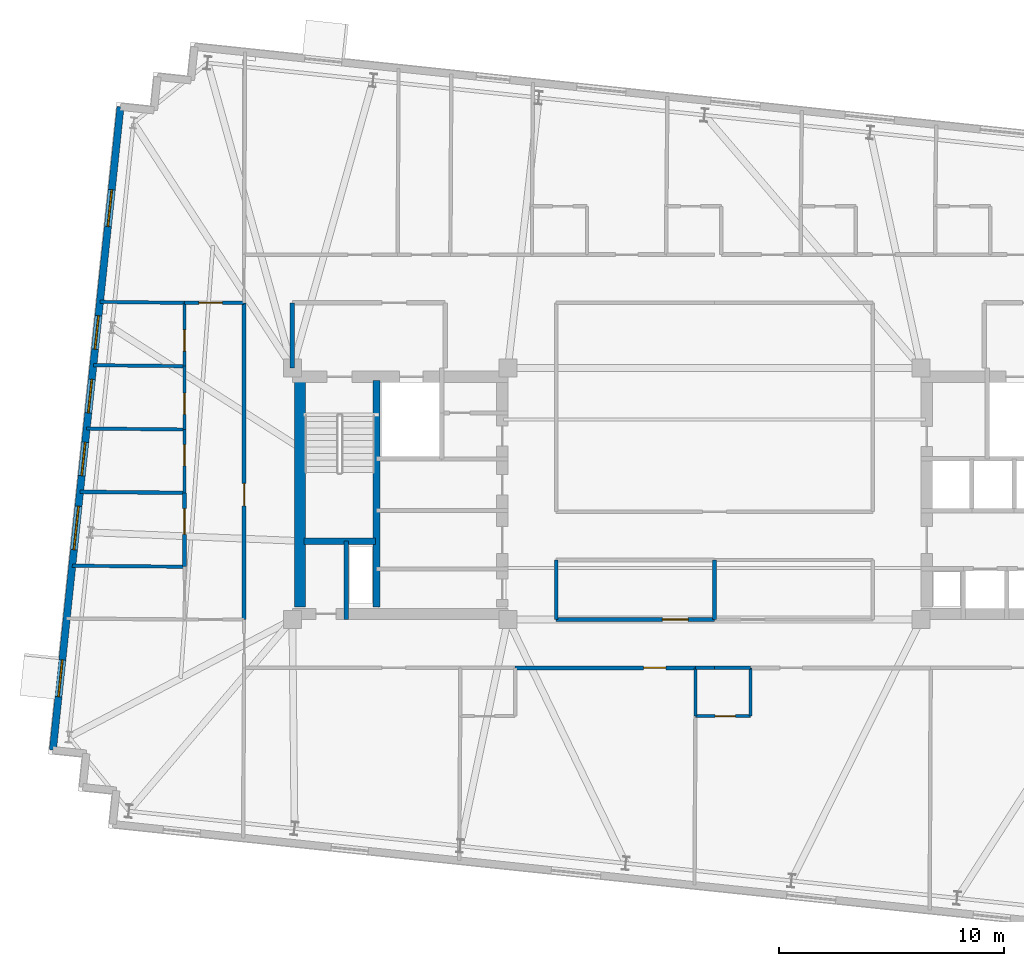
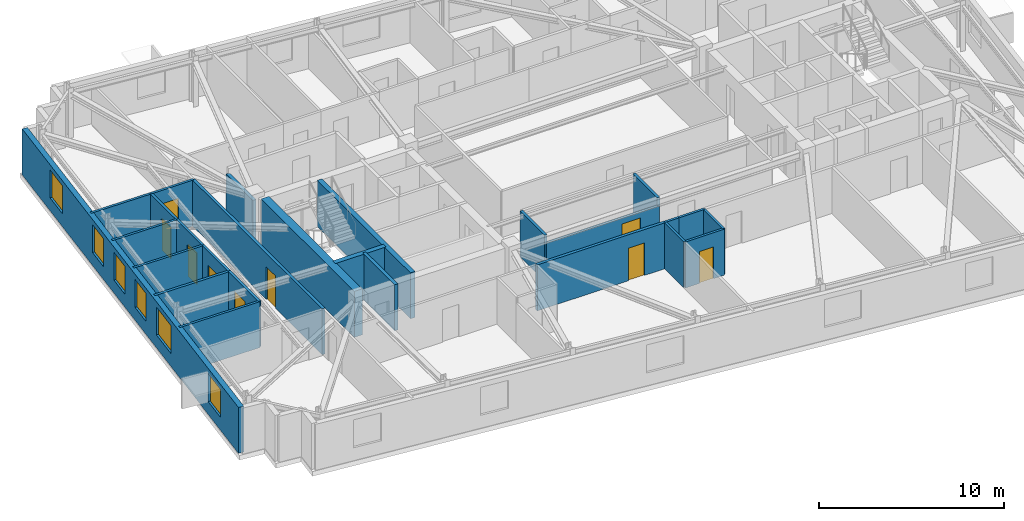
# One storey, part 6 of 13: 26 walls, 9 doors, 6 windows, 15 openings.
"""IFC4 building model written with IfcOpenShell, lengths in metres."""

from ifc_helpers import new_model, si_unit, direction, frame, frame_2d, origin, place, context, subcontext, project, spatial, rectangle, extrude, material, layer, layer_set, type_object, element, fill, save


model = new_model("IFC4")

# Units and contexts
model_context = context("Model", 3, precision=1e-05, world=origin(), true_north=direction((0.0, 1.0)))
body_context = subcontext(model_context, "Body", "Model", "MODEL_VIEW")
ifc_project = project(units=[si_unit("LENGTHUNIT", "METRE"), si_unit("AREAUNIT", "SQUARE_METRE"), si_unit("VOLUMEUNIT", "CUBIC_METRE"), si_unit("PLANEANGLEUNIT", "RADIAN"), si_unit("MASSUNIT", "GRAM", prefix="KILO")], contexts=[model_context])

# Site, building, storey
site_placement = place(None, origin())
site = spatial("IfcSite", under=ifc_project, at=site_placement, CompositionType="ELEMENT")
building_placement = place(site_placement, origin())
building = spatial("IfcBuilding", under=site, at=building_placement, Name="Qobustan Lattice House", CompositionType="ELEMENT")
storey_placement = place(building_placement, frame((0.0, 0.0, 186.35009765625)))
storey = spatial("IfcBuildingStorey", under=building, at=storey_placement, Name="L52", CompositionType="ELEMENT", Elevation=186.35009765625)

# Walls
ifc_material_1 = material(Name="Concrete C50/60", Category="concrete")
ifc_layer_1 = layer(ifc_material_1, 0.5)
ifc_layer_set_1 = layer_set([ifc_layer_1], Name="Concrete C50/60")
wall_type_1 = type_object("IfcWallType", Name="WAL-CORE-500", PredefinedType="SHEAR", material=ifc_layer_set_1)
wall_1_placement = place(storey_placement, frame((-18.4599609375, -5.050048828125, 0.0), z_axis=(0.0, 0.0, 1.0), x_axis=(0.0, 1.0, 0.0)))
element("IfcWall", 1, at=wall_1_placement, inside=storey, type_object=wall_type_1, Name="L52 split-core shear wall CW-W", PredefinedType="SHEAR", context=body_context, shape_type="SweptSolid", body=[
    extrude(rectangle(XDim=10.10009765625, YDim=0.5, at=frame_2d((5.050048828125, 0.0))), origin(), (0.0, 0.0, 1.0), 3.039794921875),
])
ifc_material_2 = material(Name="Concrete C50/60", Category="concrete")
ifc_layer_2 = layer(ifc_material_2, 0.280029296875)
ifc_layer_set_2 = layer_set([ifc_layer_2], Name="Concrete C50/60")
wall_type_2 = type_object("IfcWallType", Name="WAL-CORE-SPINE-280", PredefinedType="SHEAR", material=ifc_layer_set_2)
wall_2_placement = place(storey_placement, frame((-15.050048828125, -5.050048828125, 0.0), z_axis=(0.0, 0.0, 1.0), x_axis=(0.0, 1.0, 0.0)))
element("IfcWall", 2, at=wall_2_placement, inside=storey, type_object=wall_type_2, Name="L52 split-core shear wall CW-M", PredefinedType="SHEAR", context=body_context, shape_type="SweptSolid", body=[
    extrude(rectangle(XDim=10.10009765625, YDim=0.300048828125, at=frame_2d((5.050048828125, 0.0))), origin(), (0.0, 0.0, 1.0), 3.039794921875),
])
wall_3_placement = place(storey_placement, frame((-18.280029296875, -2.110107421875, 0.0), z_axis=(0.0, 0.0, 1.0), x_axis=(1.0, 0.0, 0.0)))
element("IfcWall", 3, at=wall_3_placement, inside=storey, type_object=wall_type_2, Name="L52 split-core shear wall CW-ST", PredefinedType="SHEAR", context=body_context, shape_type="SweptSolid", body=[
    extrude(rectangle(XDim=3.179931640625, YDim=0.300048828125, at=frame_2d((1.58984375, 0.0))), origin(), (0.0, 0.0, 1.0), 3.039794921875),
])

# Wall, openings, windows
ifc_material_3 = material(Name="Precast concrete C40/50", Category="concrete")
ifc_layer_3 = layer(ifc_material_3, 0.320068359375)
ifc_layer_set_3 = layer_set([ifc_layer_3], Name="Precast concrete C40/50")
wall_type_3 = type_object("IfcWallType", Name="WAL-EXT-STONE-320", PredefinedType="SOLIDWALL", material=ifc_layer_set_3)
wall_4_placement = place(storey_placement, frame((-29.46337890625, -11.413818359375, 0.0), z_axis=(0.0, 0.0, 1.0), x_axis=(0.104530779244, 0.994521651947, 0.0)))
wall_4 = element("IfcWall", 4, at=wall_4_placement, inside=storey, type_object=wall_type_3, Name="L52 exterior limestone-clad wall 5", PredefinedType="SOLIDWALL", context=body_context, shape_type="SweptSolid", body=[
    extrude(rectangle(XDim=28.800048828125, YDim=0.320068359375, at=frame_2d((14.39990234375, 0.0))), origin(), (0.0, 0.0, 1.0), 3.039794921875),
])
opening_1_placement = place(wall_4_placement, frame((2.3837890625, 0.0, 0.85009765625)))
opening_1 = element("IfcOpeningElement", 5, at=opening_1_placement, cuts=wall_4, Name="Opening WN-09", PredefinedType="OPENING", context=body_context, shape_type="SweptSolid", body=[
    extrude(rectangle(XDim=1.64990234375, YDim=1.85009765625, at=frame_2d((0.824951171875, 0.925048828125))), frame((0.0, 0.169921875, 0.0), z_axis=(0.0, -1.0, 0.0), x_axis=(1.0, 0.0, 0.0)), (0.0, 0.0, 1.0), 0.340087890625),
])
opening_2_placement = place(wall_4_placement, frame((8.97265625, 0.0, 0.85009765625)))
opening_2 = element("IfcOpeningElement", 6, at=opening_2_placement, cuts=wall_4, Name="Opening WN-08", PredefinedType="OPENING", context=body_context, shape_type="SweptSolid", body=[
    extrude(rectangle(XDim=1.949951171875, YDim=1.85009765625, at=frame_2d((0.97509765625, 0.925048828125))), frame((0.0, 0.169921875, 0.0), z_axis=(0.0, -1.0, 0.0), x_axis=(1.0, 0.0, 0.0)), (0.0, 0.0, 1.0), 0.340087890625),
])
opening_3_placement = place(wall_4_placement, frame((12.2861328125, 0.0, 0.85009765625)))
opening_3 = element("IfcOpeningElement", 7, at=opening_3_placement, cuts=wall_4, Name="Opening WN-01", PredefinedType="OPENING", context=body_context, shape_type="SweptSolid", body=[
    extrude(rectangle(XDim=1.5, YDim=1.85009765625, at=frame_2d((0.75, 0.925048828125))), frame((0.0, 0.169921875, 0.0), z_axis=(0.0, -1.0, 0.0), x_axis=(1.0, 0.0, 0.0)), (0.0, 0.0, 1.0), 0.340087890625),
])
opening_4_placement = place(wall_4_placement, frame((15.093994140625, 0.0, 0.85009765625)))
opening_4 = element("IfcOpeningElement", 8, at=opening_4_placement, cuts=wall_4, Name="Opening WN-01", PredefinedType="OPENING", context=body_context, shape_type="SweptSolid", body=[
    extrude(rectangle(XDim=1.5, YDim=1.85009765625, at=frame_2d((0.75, 0.925048828125))), frame((0.0, 0.169921875, 0.0), z_axis=(0.0, -1.0, 0.0), x_axis=(1.0, 0.0, 0.0)), (0.0, 0.0, 1.0), 0.340087890625),
])
opening_5_placement = place(wall_4_placement, frame((17.94189453125, 0.0, 0.85009765625)))
opening_5 = element("IfcOpeningElement", 9, at=opening_5_placement, cuts=wall_4, Name="Opening WN-01", PredefinedType="OPENING", context=body_context, shape_type="SweptSolid", body=[
    extrude(rectangle(XDim=1.5, YDim=1.85009765625, at=frame_2d((0.75, 0.925048828125))), frame((0.0, 0.169921875, 0.0), z_axis=(0.0, -1.0, 0.0), x_axis=(1.0, 0.0, 0.0)), (0.0, 0.0, 1.0), 0.340087890625),
])
opening_6_placement = place(wall_4_placement, frame((23.4423828125, 0.0, 0.85009765625)))
opening_6 = element("IfcOpeningElement", 10, at=opening_6_placement, cuts=wall_4, Name="Opening WN-09", PredefinedType="OPENING", context=body_context, shape_type="SweptSolid", body=[
    extrude(rectangle(XDim=1.64990234375, YDim=1.85009765625, at=frame_2d((0.824951171875, 0.925048828125))), frame((0.0, 0.169921875, 0.0), z_axis=(0.0, -1.0, 0.0), x_axis=(1.0, 0.0, 0.0)), (0.0, 0.0, 1.0), 0.340087890625),
])
ifc_material_4 = material(Name="Double-glazed low-E aluminium window", Category="aluminium")
window_type_1 = type_object("IfcWindowType", Name="WIN-BED-1500x1850", PartitioningType="SINGLE_PANEL", PredefinedType="WINDOW", material=ifc_material_4)
window_1_placement = place(opening_3_placement, origin())
window_1 = element("IfcWindow", 11, at=window_1_placement, inside=storey, type_object=window_type_1, Name="L52 Cluster bedroom L52W1 window", OverallHeight=1.85009765625, OverallWidth=1.5, PartitioningType="SINGLE_PANEL", PredefinedType="WINDOW", context=body_context, shape_type="SweptSolid", body=[
    extrude(rectangle(XDim=1.5, YDim=1.85009765625, at=frame_2d((0.75, 0.925048828125))), frame((0.0, 0.030029296875, 0.0), z_axis=(0.0, -1.0, 0.0), x_axis=(1.0, 0.0, 0.0)), (0.0, 0.0, 1.0), 0.06005859375),
])
fill(opening_3, window_1)
window_2_placement = place(opening_4_placement, origin())
window_2 = element("IfcWindow", 12, at=window_2_placement, inside=storey, type_object=window_type_1, Name="L52 Cluster bedroom L52W2 window", OverallHeight=1.85009765625, OverallWidth=1.5, PartitioningType="SINGLE_PANEL", PredefinedType="WINDOW", context=body_context, shape_type="SweptSolid", body=[
    extrude(rectangle(XDim=1.5, YDim=1.85009765625, at=frame_2d((0.75, 0.925048828125))), frame((0.0, 0.030029296875, 0.0), z_axis=(0.0, -1.0, 0.0), x_axis=(1.0, 0.0, 0.0)), (0.0, 0.0, 1.0), 0.06005859375),
])
fill(opening_4, window_2)
window_3_placement = place(opening_5_placement, origin())
window_3 = element("IfcWindow", 13, at=window_3_placement, inside=storey, type_object=window_type_1, Name="L52 Cluster bedroom L52W3 window", OverallHeight=1.85009765625, OverallWidth=1.5, PartitioningType="SINGLE_PANEL", PredefinedType="WINDOW", context=body_context, shape_type="SweptSolid", body=[
    extrude(rectangle(XDim=1.5, YDim=1.85009765625, at=frame_2d((0.75, 0.925048828125))), frame((0.0, 0.030029296875, 0.0), z_axis=(0.0, -1.0, 0.0), x_axis=(1.0, 0.0, 0.0)), (0.0, 0.0, 1.0), 0.06005859375),
])
fill(opening_5, window_3)
ifc_material_5 = material(Name="Double-glazed low-E aluminium window", Category="aluminium")
window_type_2 = type_object("IfcWindowType", Name="WIN-KIT-1950x1850", PartitioningType="SINGLE_PANEL", PredefinedType="WINDOW", material=ifc_material_5)
window_4_placement = place(opening_2_placement, origin())
window_4 = element("IfcWindow", 14, at=window_4_placement, inside=storey, type_object=window_type_2, Name="L52 Shared kitchen L52W window", OverallHeight=1.85009765625, OverallWidth=1.949951171875, PartitioningType="SINGLE_PANEL", PredefinedType="WINDOW", context=body_context, shape_type="SweptSolid", body=[
    extrude(rectangle(XDim=1.949951171875, YDim=1.85009765625, at=frame_2d((0.97509765625, 0.925048828125))), frame((0.0, 0.030029296875, 0.0), z_axis=(0.0, -1.0, 0.0), x_axis=(1.0, 0.0, 0.0)), (0.0, 0.0, 1.0), 0.06005859375),
])
fill(opening_2, window_4)
ifc_material_6 = material(Name="Double-glazed low-E aluminium window", Category="aluminium")
window_type_3 = type_object("IfcWindowType", Name="WIN-STU-1650x1850", PartitioningType="SINGLE_PANEL", PredefinedType="WINDOW", material=ifc_material_6)
window_5_placement = place(opening_1_placement, origin())
window_5 = element("IfcWindow", 15, at=window_5_placement, inside=storey, type_object=window_type_3, Name="L52 Reading study room L52WS window", OverallHeight=1.85009765625, OverallWidth=1.64990234375, PartitioningType="SINGLE_PANEL", PredefinedType="WINDOW", context=body_context, shape_type="SweptSolid", body=[
    extrude(rectangle(XDim=1.64990234375, YDim=1.85009765625, at=frame_2d((0.824951171875, 0.925048828125))), frame((0.0, 0.030029296875, 0.0), z_axis=(0.0, -1.0, 0.0), x_axis=(1.0, 0.0, 0.0)), (0.0, 0.0, 1.0), 0.06005859375),
])
fill(opening_1, window_5)
window_6_placement = place(opening_6_placement, origin())
window_6 = element("IfcWindow", 16, at=window_6_placement, inside=storey, type_object=window_type_3, Name="L52 Reading study room L52WN window", OverallHeight=1.85009765625, OverallWidth=1.64990234375, PartitioningType="SINGLE_PANEL", PredefinedType="WINDOW", context=body_context, shape_type="SweptSolid", body=[
    extrude(rectangle(XDim=1.64990234375, YDim=1.85009765625, at=frame_2d((0.824951171875, 0.925048828125))), frame((0.0, 0.030029296875, 0.0), z_axis=(0.0, -1.0, 0.0), x_axis=(1.0, 0.0, 0.0)), (0.0, 0.0, 1.0), 0.06005859375),
])
fill(opening_6, window_6)

# Wall, opening, door
ifc_material_7 = material(Name="Gypsum fireboard acoustic partition", Category="gypsum")
ifc_layer_4 = layer(ifc_material_7, 0.179931640625)
ifc_layer_set_4 = layer_set([ifc_layer_4], Name="Gypsum fireboard acoustic partition")
wall_type_4 = type_object("IfcWallType", Name="WAL-FIRE-180", PredefinedType="PARTITIONING", material=ifc_layer_set_4)
wall_5_placement = place(storey_placement, frame((-0.85009765625, -7.75, 0.0), z_axis=(0.0, 0.0, 1.0), x_axis=(-1.0, 0.0, 0.0)))
wall_5 = element("IfcWall", 17, at=wall_5_placement, inside=storey, type_object=wall_type_4, Name="L52 interior partition 49", PredefinedType="PARTITIONING", context=body_context, shape_type="SweptSolid", body=[
    extrude(rectangle(XDim=8.02490234375, YDim=0.179931640625, at=frame_2d((4.012451171875, 0.0))), origin(), (0.0, 0.0, 1.0), 3.039794921875),
])
opening_7_placement = place(wall_5_placement, frame((1.31298828125, 0.0, 0.0)))
opening_7 = element("IfcOpeningElement", 18, at=opening_7_placement, cuts=wall_5, Name="Opening FD-02", PredefinedType="OPENING", context=body_context, shape_type="SweptSolid", body=[
    extrude(rectangle(XDim=1.0, YDim=2.14990234375, at=frame_2d((0.5, 1.074951171875))), frame((0.0, 0.099853515625, 0.0), z_axis=(0.0, -1.0, 0.0), x_axis=(1.0, 0.0, 0.0)), (0.0, 0.0, 1.0), 0.199951171875),
])
ifc_material_8 = material(Name="Persian walnut timber and steel frame door", Category="steel")
door_type_1 = type_object("IfcDoorType", Name="DOR-UNIT-FD-1000x2150", OperationType="NOTDEFINED", PredefinedType="DOOR", material=ifc_material_8)
door_1_placement = place(opening_7_placement, origin())
door_1 = element("IfcDoor", 19, at=door_1_placement, inside=storey, type_object=door_type_1, Name="L52 South-west floor corridor to Kitchenette and studio apartment L52-S2 door", OperationType="SINGLE_SWING_LEFT", OverallHeight=2.14990234375, OverallWidth=1.0, PredefinedType="DOOR", context=body_context, shape_type="SweptSolid", body=[
    extrude(rectangle(XDim=1.0, YDim=2.14990234375, at=frame_2d((0.5, 1.074951171875))), frame((0.0, 0.02490234375, 0.0), z_axis=(0.0, -1.0, 0.0), x_axis=(1.0, 0.0, 0.0)), (0.0, 0.0, 1.0), 0.050048828125),
])
fill(opening_7, door_1)

wall_6_placement = place(storey_placement, frame((-20.949951171875, -5.60009765625, 0.0), z_axis=(0.0, 0.0, 1.0), x_axis=(0.0, 1.0, 0.0)))
wall_6 = element("IfcWall", 20, at=wall_6_placement, inside=storey, type_object=wall_type_4, Name="L52 interior partition 58", PredefinedType="PARTITIONING", context=body_context, shape_type="SweptSolid", body=[
    extrude(rectangle(XDim=14.10009765625, YDim=0.179931640625, at=frame_2d((7.050048828125, 0.0))), origin(), (0.0, 0.0, 1.0), 3.039794921875),
])
opening_8_placement = place(wall_6_placement, frame((5.0576171875, 0.0, 0.0)))
opening_8 = element("IfcOpeningElement", 21, at=opening_8_placement, cuts=wall_6, Name="Opening FD-02", PredefinedType="OPENING", context=body_context, shape_type="SweptSolid", body=[
    extrude(rectangle(XDim=1.0, YDim=2.14990234375, at=frame_2d((0.5, 1.074951171875))), frame((0.0, 0.099853515625, 0.0), z_axis=(0.0, -1.0, 0.0), x_axis=(1.0, 0.0, 0.0)), (0.0, 0.0, 1.0), 0.199951171875),
])
door_2_placement = place(opening_8_placement, origin())
door_2 = element("IfcDoor", 22, at=door_2_placement, inside=storey, type_object=door_type_1, Name="L52 West wing spine gallery to Residence entrance hall L52W door", OperationType="SINGLE_SWING_LEFT", OverallHeight=2.14990234375, OverallWidth=1.0, PredefinedType="DOOR", context=body_context, shape_type="SweptSolid", body=[
    extrude(rectangle(XDim=1.0, YDim=2.14990234375, at=frame_2d((0.5, 1.074951171875))), frame((0.0, 0.02490234375, 0.0), z_axis=(0.0, -1.0, 0.0), x_axis=(1.0, 0.0, 0.0)), (0.0, 0.0, 1.0), 0.050048828125),
])
fill(opening_8, door_2)

ifc_material_9 = material(Name="Acoustic twin-stud gypsum partition", Category="gypsum")
ifc_layer_5 = layer(ifc_material_9, 0.14990234375)
ifc_layer_set_5 = layer_set([ifc_layer_5], Name="Acoustic twin-stud gypsum partition")
wall_type_5 = type_object("IfcWallType", Name="WAL-PART-150", PredefinedType="PARTITIONING", material=ifc_layer_set_5)
wall_7_placement = place(storey_placement, frame((-23.60009765625, 8.5, 0.0), z_axis=(0.0, 0.0, 1.0), x_axis=(1.0, 0.0, 0.0)))
wall_7 = element("IfcWall", 23, at=wall_7_placement, inside=storey, type_object=wall_type_5, Name="L52 interior partition 67", PredefinedType="PARTITIONING", context=body_context, shape_type="SweptSolid", body=[
    extrude(rectangle(XDim=2.650146484375, YDim=0.14990234375, at=frame_2d((1.3251953125, 0.0))), origin(), (0.0, 0.0, 1.0), 3.039794921875),
])
opening_9_placement = place(wall_7_placement, frame((0.635009765625, 0.0, 0.0)))
opening_9 = element("IfcOpeningElement", 24, at=opening_9_placement, cuts=wall_7, Name="Opening ID-02", PredefinedType="OPENING", context=body_context, shape_type="SweptSolid", body=[
    extrude(rectangle(XDim=1.050048828125, YDim=2.14990234375, at=frame_2d((0.52490234375, 1.074951171875))), frame((0.0, 0.0849609375, 0.0), z_axis=(0.0, -1.0, 0.0), x_axis=(1.0, 0.0, 0.0)), (0.0, 0.0, 1.0), 0.169921875),
])
ifc_material_10 = material(Name="Persian walnut timber and steel frame door", Category="steel")
door_type_2 = type_object("IfcDoorType", Name="DOR-STUDY-1050x2150", OperationType="NOTDEFINED", PredefinedType="DOOR", material=ifc_material_10)
door_3_placement = place(opening_9_placement, origin())
door_3 = element("IfcDoor", 25, at=door_3_placement, inside=storey, type_object=door_type_2, Name="L52 Residence entrance hall L52W to Reading study room L52WN door", OperationType="SINGLE_SWING_RIGHT", OverallHeight=2.14990234375, OverallWidth=1.050048828125, PredefinedType="DOOR", context=body_context, shape_type="SweptSolid", body=[
    extrude(rectangle(XDim=1.050048828125, YDim=2.14990234375, at=frame_2d((0.52490234375, 1.074951171875))), frame((0.0, 0.02490234375, 0.0), z_axis=(0.0, -1.0, 0.0), x_axis=(1.0, 0.0, 0.0)), (0.0, 0.0, 1.0), 0.050048828125),
])
fill(opening_9, door_3)

wall_8_placement = place(storey_placement, frame((-23.60009765625, 0.0400390625, 0.0), z_axis=(0.0, 0.0, 1.0), x_axis=(0.0, 1.0, 0.0)))
wall_8 = element("IfcWall", 26, at=wall_8_placement, inside=storey, type_object=wall_type_5, Name="L52 interior partition 71", PredefinedType="PARTITIONING", context=body_context, shape_type="SweptSolid", body=[
    extrude(rectangle(XDim=2.820068359375, YDim=0.14990234375, at=frame_2d((1.41015625, 0.0))), origin(), (0.0, 0.0, 1.0), 3.039794921875),
])
opening_10_placement = place(wall_8_placement, frame((1.201171875, 0.0, 0.0)))
opening_10 = element("IfcOpeningElement", 27, at=opening_10_placement, cuts=wall_8, Name="Opening ID-01", PredefinedType="OPENING", context=body_context, shape_type="SweptSolid", body=[
    extrude(rectangle(XDim=0.949951171875, YDim=2.10009765625, at=frame_2d((0.47509765625, 1.050048828125))), frame((0.0, 0.0849609375, 0.0), z_axis=(0.0, -1.0, 0.0), x_axis=(1.0, 0.0, 0.0)), (0.0, 0.0, 1.0), 0.169921875),
])
ifc_material_11 = material(Name="Persian walnut timber and steel frame door", Category="steel")
door_type_3 = type_object("IfcDoorType", Name="DOR-ROOM-950x2100", OperationType="NOTDEFINED", PredefinedType="DOOR", material=ifc_material_11)
door_4_placement = place(opening_10_placement, origin())
door_4 = element("IfcDoor", 28, at=door_4_placement, inside=storey, type_object=door_type_3, Name="L52 Residence entrance hall L52W to Cluster bedroom L52W1 door", OperationType="SINGLE_SWING_RIGHT", OverallHeight=2.10009765625, OverallWidth=0.949951171875, PredefinedType="DOOR", context=body_context, shape_type="SweptSolid", body=[
    extrude(rectangle(XDim=0.949951171875, YDim=2.10009765625, at=frame_2d((0.47509765625, 1.050048828125))), frame((0.0, 0.02490234375, 0.0), z_axis=(0.0, -1.0, 0.0), x_axis=(1.0, 0.0, 0.0)), (0.0, 0.0, 1.0), 0.050048828125),
])
fill(opening_10, door_4)

wall_9_placement = place(storey_placement, frame((-23.60009765625, 2.860107421875, 0.0), z_axis=(0.0, 0.0, 1.0), x_axis=(0.0, 1.0, 0.0)))
wall_9 = element("IfcWall", 29, at=wall_9_placement, inside=storey, type_object=wall_type_5, Name="L52 interior partition 72", PredefinedType="PARTITIONING", context=body_context, shape_type="SweptSolid", body=[
    extrude(rectangle(XDim=2.81982421875, YDim=0.14990234375, at=frame_2d((1.409912109375, 0.0))), origin(), (0.0, 0.0, 1.0), 3.039794921875),
])
opening_11_placement = place(wall_9_placement, frame((0.668701171875, 0.0, 0.0)))
opening_11 = element("IfcOpeningElement", 30, at=opening_11_placement, cuts=wall_9, Name="Opening ID-01", PredefinedType="OPENING", context=body_context, shape_type="SweptSolid", body=[
    extrude(rectangle(XDim=0.949951171875, YDim=2.10009765625, at=frame_2d((0.47509765625, 1.050048828125))), frame((0.0, 0.0849609375, 0.0), z_axis=(0.0, -1.0, 0.0), x_axis=(1.0, 0.0, 0.0)), (0.0, 0.0, 1.0), 0.169921875),
])
door_5_placement = place(opening_11_placement, origin())
door_5 = element("IfcDoor", 31, at=door_5_placement, inside=storey, type_object=door_type_3, Name="L52 Residence entrance hall L52W to Cluster bedroom L52W2 door", OperationType="SINGLE_SWING_LEFT", OverallHeight=2.10009765625, OverallWidth=0.949951171875, PredefinedType="DOOR", context=body_context, shape_type="SweptSolid", body=[
    extrude(rectangle(XDim=0.949951171875, YDim=2.10009765625, at=frame_2d((0.47509765625, 1.050048828125))), frame((0.0, 0.02490234375, 0.0), z_axis=(0.0, -1.0, 0.0), x_axis=(1.0, 0.0, 0.0)), (0.0, 0.0, 1.0), 0.050048828125),
])
fill(opening_11, door_5)

wall_10_placement = place(storey_placement, frame((-23.60009765625, 5.679931640625, 0.0), z_axis=(0.0, 0.0, 1.0), x_axis=(0.0, 1.0, 0.0)))
wall_10 = element("IfcWall", 32, at=wall_10_placement, inside=storey, type_object=wall_type_5, Name="L52 interior partition 73", PredefinedType="PARTITIONING", context=body_context, shape_type="SweptSolid", body=[
    extrude(rectangle(XDim=2.820068359375, YDim=0.14990234375, at=frame_2d((1.41015625, 0.0))), origin(), (0.0, 0.0, 1.0), 3.039794921875),
])
opening_12_placement = place(wall_10_placement, frame((0.668701171875, 0.0, 0.0)))
opening_12 = element("IfcOpeningElement", 33, at=opening_12_placement, cuts=wall_10, Name="Opening ID-01", PredefinedType="OPENING", context=body_context, shape_type="SweptSolid", body=[
    extrude(rectangle(XDim=0.949951171875, YDim=2.10009765625, at=frame_2d((0.47509765625, 1.050048828125))), frame((0.0, 0.0849609375, 0.0), z_axis=(0.0, -1.0, 0.0), x_axis=(1.0, 0.0, 0.0)), (0.0, 0.0, 1.0), 0.169921875),
])
door_6_placement = place(opening_12_placement, origin())
door_6 = element("IfcDoor", 34, at=door_6_placement, inside=storey, type_object=door_type_3, Name="L52 Residence entrance hall L52W to Cluster bedroom L52W3 door", OperationType="SINGLE_SWING_RIGHT", OverallHeight=2.10009765625, OverallWidth=0.949951171875, PredefinedType="DOOR", context=body_context, shape_type="SweptSolid", body=[
    extrude(rectangle(XDim=0.949951171875, YDim=2.10009765625, at=frame_2d((0.47509765625, 1.050048828125))), frame((0.0, 0.02490234375, 0.0), z_axis=(0.0, -1.0, 0.0), x_axis=(1.0, 0.0, 0.0)), (0.0, 0.0, 1.0), 0.050048828125),
])
fill(opening_12, door_6)

# Walls
wall_11_placement = place(storey_placement, frame((-23.60009765625, 8.5, 0.0), z_axis=(0.0, 0.0, 1.0), x_axis=(-0.999931911052, 0.011669329875, 0.0)))
element("IfcWall", 35, at=wall_11_placement, inside=storey, type_object=wall_type_5, Name="L52 interior partition 74", PredefinedType="PARTITIONING", context=body_context, shape_type="SweptSolid", body=[
    extrude(rectangle(XDim=3.765869140625, YDim=0.14990234375, at=frame_2d((1.8828125, 0.0))), origin(), (0.0, 0.0, 1.0), 3.039794921875),
])
wall_12_placement = place(storey_placement, frame((-27.95849609375, 2.90380859375, 0.0), z_axis=(0.0, 0.0, 1.0), x_axis=(0.999949734551, -0.010026383738, 0.0)))
element("IfcWall", 36, at=wall_12_placement, inside=storey, type_object=wall_type_5, Name="L52 interior partition 80", PredefinedType="PARTITIONING", context=body_context, shape_type="SweptSolid", body=[
    extrude(rectangle(XDim=4.358642578125, YDim=0.14990234375, at=frame_2d((2.17919921875, 0.0))), origin(), (0.0, 0.0, 1.0), 3.039794921875),
])
wall_13_placement = place(storey_placement, frame((-27.662109375, 5.723876953125, 0.0), z_axis=(0.0, 0.0, 1.0), x_axis=(0.999941483997, -0.010817974944, 0.0)))
element("IfcWall", 37, at=wall_13_placement, inside=storey, type_object=wall_type_5, Name="L52 interior partition 81", PredefinedType="PARTITIONING", context=body_context, shape_type="SweptSolid", body=[
    extrude(rectangle(XDim=4.062255859375, YDim=0.14990234375, at=frame_2d((2.03125, 0.0))), origin(), (0.0, 0.0, 1.0), 3.039794921875),
])

# Wall, opening, door
ifc_material_12 = material(Name="High-mass acoustic twin-stud partition", Category="gypsum")
ifc_layer_6 = layer(ifc_material_12, 0.1650390625)
ifc_layer_set_6 = layer_set([ifc_layer_6], Name="High-mass acoustic twin-stud partition")
wall_type_6 = type_object("IfcWallType", Name="WAL-PART-165", PredefinedType="PARTITIONING", material=ifc_layer_set_6)
wall_14_placement = place(storey_placement, frame((-7.050048828125, -5.60009765625, 0.0), z_axis=(0.0, 0.0, 1.0), x_axis=(1.0, 0.0, 0.0)))
wall_14 = element("IfcWall", 38, at=wall_14_placement, inside=storey, type_object=wall_type_6, Name="L52 interior partition 52", PredefinedType="PARTITIONING", context=body_context, shape_type="SweptSolid", body=[
    extrude(rectangle(XDim=7.050048828125, YDim=0.1650390625, at=frame_2d((3.52490234375, 0.0))), origin(), (0.0, 0.0, 1.0), 2.52490234375),
])
opening_13_placement = place(wall_14_placement, frame((4.7275390625, 0.0, 0.0)))
opening_13 = element("IfcOpeningElement", 39, at=opening_13_placement, cuts=wall_14, Name="Opening ID-03", PredefinedType="OPENING", context=body_context, shape_type="SweptSolid", body=[
    extrude(rectangle(XDim=1.14990234375, YDim=2.14990234375, at=frame_2d((0.574951171875, 1.074951171875))), frame((0.0, 0.092529296875, 0.0), z_axis=(0.0, -1.0, 0.0), x_axis=(1.0, 0.0, 0.0)), (0.0, 0.0, 1.0), 0.18505859375),
])
ifc_material_13 = material(Name="Persian walnut timber and steel frame door", Category="steel")
door_type_4 = type_object("IfcDoorType", Name="DOR-KITCH-1150x2150", OperationType="NOTDEFINED", PredefinedType="DOOR", material=ifc_material_13)
door_7_placement = place(opening_13_placement, origin())
door_7 = element("IfcDoor", 40, at=door_7_placement, inside=storey, type_object=door_type_4, Name="L52 South-west floor corridor to Shared dining kitchen door", OperationType="SINGLE_SWING_RIGHT", OverallHeight=2.14990234375, OverallWidth=1.14990234375, PredefinedType="DOOR", context=body_context, shape_type="SweptSolid", body=[
    extrude(rectangle(XDim=1.14990234375, YDim=2.14990234375, at=frame_2d((0.574951171875, 1.074951171875))), frame((0.0, 0.02490234375, 0.0), z_axis=(0.0, -1.0, 0.0), x_axis=(1.0, 0.0, 0.0)), (0.0, 0.0, 1.0), 0.050048828125),
])
fill(opening_13, door_7)

# Wall
wall_15_placement = place(storey_placement, frame((-7.050048828125, -2.949951171875, 0.0), z_axis=(0.0, 0.0, 1.0), x_axis=(0.0, -1.0, 0.0)))
element("IfcWall", 41, at=wall_15_placement, inside=storey, type_object=wall_type_6, Name="L52 interior partition 64", PredefinedType="PARTITIONING", context=body_context, shape_type="SweptSolid", body=[
    extrude(rectangle(XDim=2.650146484375, YDim=0.1650390625, at=frame_2d((1.3251953125, 0.0))), origin(), (0.0, 0.0, 1.0), 3.039794921875),
])

# Wall, opening, door
wall_16_placement = place(storey_placement, frame((-23.60009765625, -3.25, 0.0), z_axis=(0.0, 0.0, 1.0), x_axis=(0.0, 1.0, 0.0)))
wall_16 = element("IfcWall", 42, at=wall_16_placement, inside=storey, type_object=wall_type_6, Name="L52 interior partition 70", PredefinedType="PARTITIONING", context=body_context, shape_type="SweptSolid", body=[
    extrude(rectangle(XDim=3.2900390625, YDim=0.1650390625, at=frame_2d((1.64501953125, 0.0))), origin(), (0.0, 0.0, 1.0), 3.039794921875),
])
opening_14_placement = place(wall_16_placement, frame((1.4375, 0.0, 0.0)))
opening_14 = element("IfcOpeningElement", 43, at=opening_14_placement, cuts=wall_16, Name="Opening ID-03", PredefinedType="OPENING", context=body_context, shape_type="SweptSolid", body=[
    extrude(rectangle(XDim=1.14990234375, YDim=2.14990234375, at=frame_2d((0.574951171875, 1.074951171875))), frame((0.0, 0.092529296875, 0.0), z_axis=(0.0, -1.0, 0.0), x_axis=(1.0, 0.0, 0.0)), (0.0, 0.0, 1.0), 0.18505859375),
])
door_8_placement = place(opening_14_placement, origin())
door_8 = element("IfcDoor", 44, at=door_8_placement, inside=storey, type_object=door_type_4, Name="L52 Residence entrance hall L52W to Shared kitchen L52W door", OperationType="SINGLE_SWING_LEFT", OverallHeight=2.14990234375, OverallWidth=1.14990234375, PredefinedType="DOOR", context=body_context, shape_type="SweptSolid", body=[
    extrude(rectangle(XDim=1.14990234375, YDim=2.14990234375, at=frame_2d((0.574951171875, 1.074951171875))), frame((0.0, 0.02490234375, 0.0), z_axis=(0.0, -1.0, 0.0), x_axis=(1.0, 0.0, 0.0)), (0.0, 0.0, 1.0), 0.050048828125),
])
fill(opening_14, door_8)

# Walls
wall_17_placement = place(storey_placement, frame((-28.2548828125, 0.083984375, 0.0), z_axis=(0.0, 0.0, 1.0), x_axis=(0.999955437781, -0.009440468835, 0.0)))
element("IfcWall", 45, at=wall_17_placement, inside=storey, type_object=wall_type_6, Name="L52 interior partition 79", PredefinedType="PARTITIONING", context=body_context, shape_type="SweptSolid", body=[
    extrude(rectangle(XDim=4.655029296875, YDim=0.1650390625, at=frame_2d((2.32763671875, 0.0))), origin(), (0.0, 0.0, 1.0), 3.039794921875),
])
wall_18_placement = place(storey_placement, frame((0.0, -2.949951171875, 0.0), z_axis=(0.0, 0.0, 1.0), x_axis=(0.0, -1.0, 0.0)))
element("IfcWall", 46, at=wall_18_placement, inside=storey, type_object=wall_type_6, Name="L52 interior partition 111", PredefinedType="PARTITIONING", context=body_context, shape_type="SweptSolid", body=[
    extrude(rectangle(XDim=2.650146484375, YDim=0.1650390625, at=frame_2d((1.3251953125, 0.0))), origin(), (0.0, 0.0, 1.0), 3.039794921875),
])
ifc_material_14 = material(Name="Two-hour gypsum fireboard acoustic partition", Category="gypsum")
ifc_layer_7 = layer(ifc_material_14, 0.199951171875)
ifc_layer_set_7 = layer_set([ifc_layer_7], Name="Two-hour gypsum fireboard acoustic partition")
wall_type_7 = type_object("IfcWallType", Name="WAL-PROT-200", PredefinedType="PARTITIONING", material=ifc_layer_set_7)
wall_19_placement = place(storey_placement, frame((-18.800048828125, 8.5, 0.0), z_axis=(0.0, 0.0, 1.0), x_axis=(0.0, -1.0, 0.0)))
element("IfcWall", 47, at=wall_19_placement, inside=storey, type_object=wall_type_7, Name="L52 interior partition 5", PredefinedType="PARTITIONING", context=body_context, shape_type="SweptSolid", body=[
    extrude(rectangle(XDim=2.89990234375, YDim=0.199951171875, at=frame_2d((1.449951171875, 0.0))), origin(), (0.0, 0.0, 1.0), 2.664794921875),
])
ifc_material_15 = material(Name="Concrete C40/50", Category="concrete")
ifc_layer_8 = layer(ifc_material_15, 0.199951171875)
ifc_layer_set_8 = layer_set([ifc_layer_8], Name="Concrete C40/50")
wall_type_8 = type_object("IfcWallType", Name="WAL-SHAFT-200", PredefinedType="PARTITIONING", material=ifc_layer_set_8)
wall_20_placement = place(storey_placement, frame((-16.39990234375, -5.60009765625, 0.0), z_axis=(0.0, 0.0, 1.0), x_axis=(0.0, 1.0, 0.0)))
element("IfcWall", 48, at=wall_20_placement, inside=storey, type_object=wall_type_8, Name="L52 interior partition 1", PredefinedType="PARTITIONING", context=body_context, shape_type="SweptSolid", body=[
    extrude(rectangle(XDim=3.489990234375, YDim=0.199951171875, at=frame_2d((1.7451171875, 0.0))), origin(), (0.0, 0.0, 1.0), 3.039794921875),
])
ifc_material_16 = material(Name="Moisture-resistant acoustic plumbing wall", Category="gypsum")
ifc_layer_9 = layer(ifc_material_16, 0.14990234375)
ifc_layer_set_9 = layer_set([ifc_layer_9], Name="Moisture-resistant acoustic plumbing wall")
wall_type_9 = type_object("IfcWallType", Name="WAL-WET-150", PredefinedType="PLUMBINGWALL", material=ifc_layer_set_9)
wall_21_placement = place(storey_placement, frame((0.0, -7.75, 0.0), z_axis=(0.0, 0.0, 1.0), x_axis=(-1.0, 0.0, 0.0)))
element("IfcWall", 49, at=wall_21_placement, inside=storey, type_object=wall_type_9, Name="L52 interior partition 51", PredefinedType="PLUMBINGWALL", context=body_context, shape_type="SweptSolid", body=[
    extrude(rectangle(XDim=0.85009765625, YDim=0.14990234375, at=frame_2d((0.425048828125, 0.0))), origin(), (0.0, 0.0, 1.0), 3.039794921875),
])
wall_22_placement = place(storey_placement, frame((1.60009765625, -7.75, 0.0), z_axis=(0.0, 0.0, 1.0), x_axis=(-1.0, 0.0, 0.0)))
element("IfcWall", 50, at=wall_22_placement, inside=storey, type_object=wall_type_9, Name="L52 interior partition 54", PredefinedType="PLUMBINGWALL", context=body_context, shape_type="SweptSolid", body=[
    extrude(rectangle(XDim=1.60009765625, YDim=0.14990234375, at=frame_2d((0.800048828125, 0.0))), origin(), (0.0, 0.0, 1.0), 3.039794921875),
])
wall_23_placement = place(storey_placement, frame((-28.6005859375, -3.2060546875, 0.0), z_axis=(0.0, 0.0, 1.0), x_axis=(0.999961385969, -0.008787864929, 0.0)))
element("IfcWall", 51, at=wall_23_placement, inside=storey, type_object=wall_type_9, Name="L52 interior partition 78", PredefinedType="PLUMBINGWALL", context=body_context, shape_type="SweptSolid", body=[
    extrude(rectangle(XDim=5.000732421875, YDim=0.14990234375, at=frame_2d((2.50048828125, 0.0))), origin(), (0.0, 0.0, 1.0), 3.039794921875),
])
wall_24_placement = place(storey_placement, frame((-0.85009765625, -7.75, 0.0), z_axis=(0.0, 0.0, 1.0), x_axis=(0.0, -1.0, 0.0)))
element("IfcWall", 52, at=wall_24_placement, inside=storey, type_object=wall_type_9, Name="L52 interior partition 106", PredefinedType="PLUMBINGWALL", context=body_context, shape_type="SweptSolid", body=[
    extrude(rectangle(XDim=2.14990234375, YDim=0.14990234375, at=frame_2d((1.074951171875, 0.0))), origin(), (0.0, 0.0, 1.0), 3.039794921875),
])

# Wall, opening, door
wall_25_placement = place(storey_placement, frame((-0.85009765625, -9.89990234375, 0.0), z_axis=(0.0, 0.0, 1.0), x_axis=(1.0, 0.0, 0.0)))
wall_25 = element("IfcWall", 53, at=wall_25_placement, inside=storey, type_object=wall_type_9, Name="L52 interior partition 107", PredefinedType="PLUMBINGWALL", context=body_context, shape_type="SweptSolid", body=[
    extrude(rectangle(XDim=2.4501953125, YDim=0.14990234375, at=frame_2d((1.22509765625, 0.0))), origin(), (0.0, 0.0, 1.0), 3.039794921875),
])
opening_15_placement = place(wall_25_placement, frame((0.87255859375, 0.0, 0.0)))
opening_15 = element("IfcOpeningElement", 54, at=opening_15_placement, cuts=wall_25, Name="Opening WD-01", PredefinedType="OPENING", context=body_context, shape_type="SweptSolid", body=[
    extrude(rectangle(XDim=0.89990234375, YDim=2.10009765625, at=frame_2d((0.449951171875, 1.050048828125))), frame((0.0, 0.0849609375, 0.0), z_axis=(0.0, -1.0, 0.0), x_axis=(1.0, 0.0, 0.0)), (0.0, 0.0, 1.0), 0.169921875),
])
ifc_material_17 = material(Name="Persian walnut timber and steel frame door", Category="steel")
door_type_5 = type_object("IfcDoorType", Name="DOR-WET-900x2100", OperationType="NOTDEFINED", PredefinedType="DOOR", material=ifc_material_17)
door_9_placement = place(opening_15_placement, origin())
door_9 = element("IfcDoor", 55, at=door_9_placement, inside=storey, type_object=door_type_5, Name="L52 Kitchenette and studio apartment L52-S3 to En-suite bathroom L52-S3 door", OperationType="SINGLE_SWING_RIGHT", OverallHeight=2.10009765625, OverallWidth=0.89990234375, PredefinedType="DOOR", context=body_context, shape_type="SweptSolid", body=[
    extrude(rectangle(XDim=0.89990234375, YDim=2.10009765625, at=frame_2d((0.449951171875, 1.050048828125))), frame((0.0, 0.02490234375, 0.0), z_axis=(0.0, -1.0, 0.0), x_axis=(1.0, 0.0, 0.0)), (0.0, 0.0, 1.0), 0.050048828125),
])
fill(opening_15, door_9)

# Wall
wall_26_placement = place(storey_placement, frame((1.60009765625, -9.89990234375, 0.0), z_axis=(0.0, 0.0, 1.0), x_axis=(0.0, 1.0, 0.0)))
element("IfcWall", 56, at=wall_26_placement, inside=storey, type_object=wall_type_9, Name="L52 interior partition 108", PredefinedType="PLUMBINGWALL", context=body_context, shape_type="SweptSolid", body=[
    extrude(rectangle(XDim=2.14990234375, YDim=0.14990234375, at=frame_2d((1.074951171875, 0.0))), origin(), (0.0, 0.0, 1.0), 3.039794921875),
])

save(model, "model.ifc")
